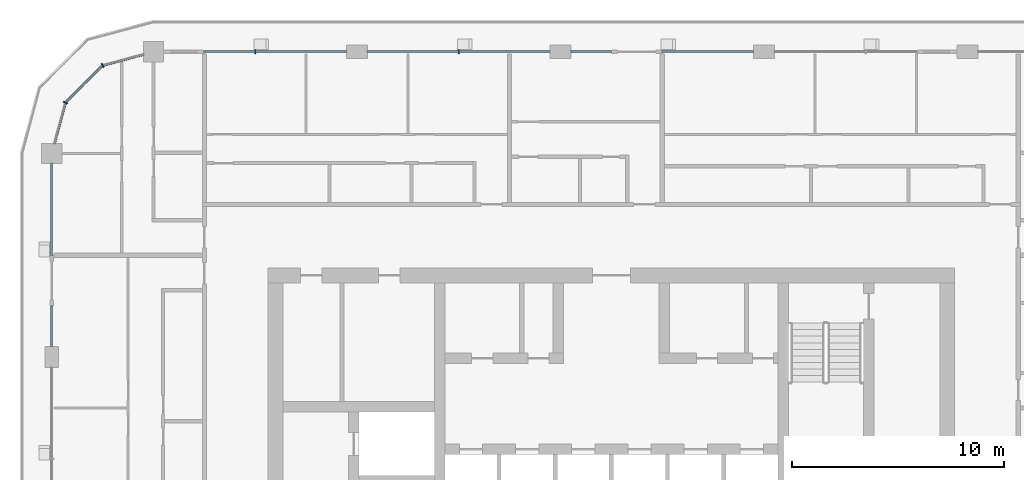
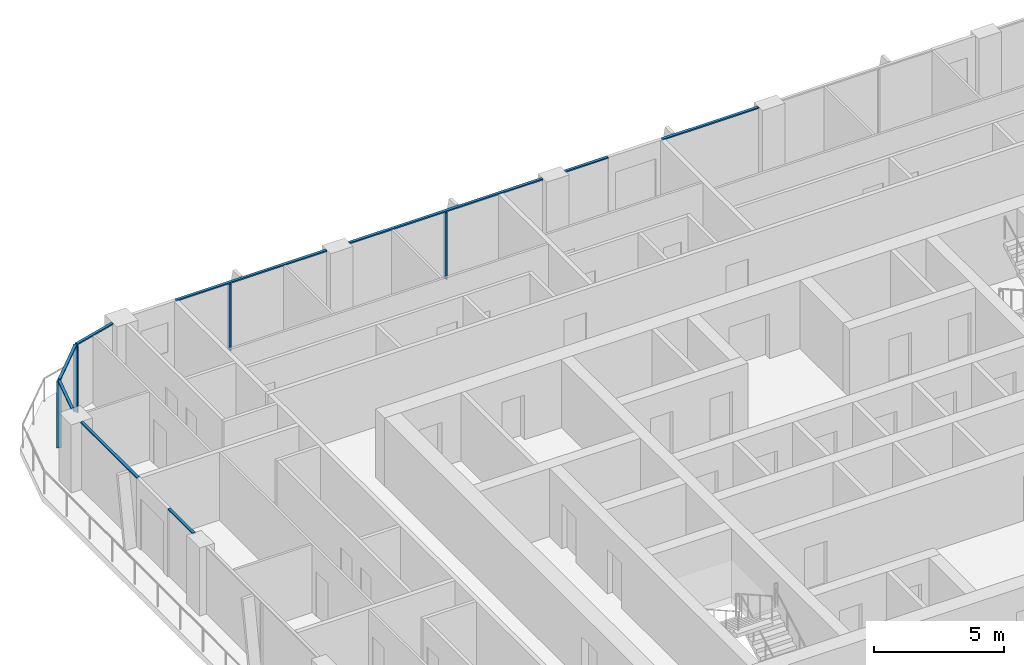
# One storey, part 5 of 22: 13 members, 5 elements without a shape of their own.
"""IFC4 building model written with IfcOpenShell, lengths in metres."""

from ifc_helpers import new_model, si_unit, direction, frame, origin, origin_2d, place, context, subcontext, project, spatial, rectangle, extrude, material, layer, layer_set, material_profile, profile_set, type_object, element, aggregate, save


model = new_model("IFC4")

# Units and contexts
model_context = context("Model", 3, precision=1e-05, world=origin(), true_north=direction((0.0, 1.0)))
body_context = subcontext(model_context, "Body", "Model", "MODEL_VIEW")
ifc_project = project(units=[si_unit("LENGTHUNIT", "METRE"), si_unit("AREAUNIT", "SQUARE_METRE"), si_unit("VOLUMEUNIT", "CUBIC_METRE"), si_unit("PLANEANGLEUNIT", "RADIAN"), si_unit("MASSUNIT", "GRAM", prefix="KILO")], contexts=[model_context])

# Site, building, storey
site_placement = place(None, origin())
site = spatial("IfcSite", under=ifc_project, at=site_placement, CompositionType="ELEMENT")
building_placement = place(site_placement, origin())
building = spatial("IfcBuilding", under=site, at=building_placement, Name="Madar Terraces", CompositionType="ELEMENT")
storey_placement = place(building_placement, frame((0.0, 0.0, 182.39990234375)))
storey = spatial("IfcBuildingStorey", under=building, at=storey_placement, Name="L47", CompositionType="ELEMENT", Elevation=182.39990234375)

# Curtain wall, member
ifc_material_1 = material(Name="Glass, ceramic frit dark grey, with black aluminium frame", Category="aluminium")
ifc_layer = layer(ifc_material_1, 0.199951171875)
ifc_layer_set = layer_set([ifc_layer], Name="Facade curtain wall, fritted glass")
curtain_wall_type = type_object("IfcCurtainWallType", Name="Facade curtain wall, fritted glass", PredefinedType="NOTDEFINED", material=ifc_layer_set)
curtain_wall_1_placement = place(storey_placement, origin())
curtain_wall_1 = element("IfcCurtainWall", 1, at=curtain_wall_1_placement, inside=storey, type_object=curtain_wall_type, Name="Outer skin curtain wall north bay 4", PredefinedType="NOTDEFINED")
ifc_material_2 = material(Name="Aluminium, black anodised", Category="aluminium")
ifc_material_profile_1 = material_profile(ifc_material_2, rectangle(XDim=0.199951171875, YDim=0.06005859375, at=origin_2d()), Name="Facade mullion 60x200")
ifc_profile_set_1 = profile_set([ifc_material_profile_1], Name="Aluminium, black anodised")
member_type_1 = type_object("IfcMemberType", Name="Facade mullion 60x200", PredefinedType="MULLION", material=ifc_profile_set_1)
member_1_placement = place(storey_placement, frame((24.0, 48.0, 0.0), z_axis=(0.0, 0.0, 1.0), x_axis=(0.0, -1.0, 0.0)))
member_1 = element("IfcMember", 2, at=member_1_placement, type_object=member_type_1, Name="Mullion 1", PredefinedType="MULLION", context=body_context, shape_type="SweptSolid", body=[
    extrude(rectangle(XDim=0.199951171875, YDim=0.06005859375, at=origin_2d()), origin(), (0.0, 0.0, 1.0), 3.14013671875),
])

curtain_wall_2_placement = place(storey_placement, origin())
curtain_wall_2 = element("IfcCurtainWall", 3, at=curtain_wall_2_placement, inside=storey, type_object=curtain_wall_type, Name="Outer skin curtain wall north bay 5", PredefinedType="NOTDEFINED")
member_2_placement = place(storey_placement, frame((14.39990234375, 48.0, 0.0), z_axis=(0.0, 0.0, 1.0), x_axis=(0.0, -1.0, 0.0)))
member_2 = element("IfcMember", 4, at=member_2_placement, type_object=member_type_1, Name="Mullion 1", PredefinedType="MULLION", context=body_context, shape_type="SweptSolid", body=[
    extrude(rectangle(XDim=0.199951171875, YDim=0.06005859375, at=origin_2d()), origin(), (0.0, 0.0, 1.0), 3.14013671875),
])

# Curtain wall, members
curtain_wall_3_placement = place(storey_placement, origin())
curtain_wall_3 = element("IfcCurtainWall", 5, at=curtain_wall_3_placement, inside=storey, type_object=curtain_wall_type, Name="Outer skin curtain wall north-west corner", PredefinedType="NOTDEFINED")
member_3_placement = place(storey_placement, frame((7.199951171875, 47.35693359375, 0.0), z_axis=(0.0, 0.0, 1.0), x_axis=(0.499999989586, -0.866025409797, 0.0)))
member_3 = element("IfcMember", 6, at=member_3_placement, type_object=member_type_1, Name="Mullion 1", PredefinedType="MULLION", context=body_context, shape_type="SweptSolid", body=[
    extrude(rectangle(XDim=0.199951171875, YDim=0.06005859375, at=origin_2d()), origin(), (0.0, 0.0, 1.0), 3.14013671875),
])
member_4_placement = place(storey_placement, frame((5.443115234375, 45.60009765625, 0.0), z_axis=(0.0, 0.0, 1.0), x_axis=(0.866025409797, -0.499999989586, 0.0)))
member_4 = element("IfcMember", 7, at=member_4_placement, type_object=member_type_1, Name="Mullion 2", PredefinedType="MULLION", context=body_context, shape_type="SweptSolid", body=[
    extrude(rectangle(XDim=0.199951171875, YDim=0.06005859375, at=origin_2d()), origin(), (0.0, 0.0, 1.0), 3.14013671875),
])

curtain_wall_4_placement = place(storey_placement, origin())
curtain_wall_4 = element("IfcCurtainWall", 8, at=curtain_wall_4_placement, inside=storey, type_object=curtain_wall_type, Name="Outer skin curtain wall north bay 3", PredefinedType="NOTDEFINED")
ifc_material_3 = material(Name="Aluminium, black anodised", Category="aluminium")
ifc_material_profile_2 = material_profile(ifc_material_3, rectangle(XDim=0.1201171875, YDim=0.06005859375, at=origin_2d()), Name="Facade transom 60x120")
ifc_profile_set_2 = profile_set([ifc_material_profile_2], Name="Aluminium, black anodised")
member_type_2 = type_object("IfcMemberType", Name="Facade transom 60x120", PredefinedType="USERDEFINED", material=ifc_profile_set_2)
member_5_placement = place(storey_placement, frame((37.89990234375, 48.0, 3.170166015625), z_axis=(-1.0, 0.0, 0.0), x_axis=(0.0, -1.0, 0.0)))
member_5 = element("IfcMember", 9, at=member_5_placement, type_object=member_type_2, Name="Transom 1", ObjectType="TRANSOM", PredefinedType="USERDEFINED", context=body_context, shape_type="SweptSolid", body=[
    extrude(rectangle(XDim=0.1201171875, YDim=0.06005859375, at=origin_2d()), origin(), (0.0, 0.0, 1.0), 4.2998046875),
])
member_6_placement = place(storey_placement, frame((31.199951171875, 48.0, 3.170166015625), z_axis=(-1.0, 0.0, 0.0), x_axis=(0.0, -1.0, 0.0)))
member_6 = element("IfcMember", 10, at=member_6_placement, type_object=member_type_2, Name="Transom 2", ObjectType="TRANSOM", PredefinedType="USERDEFINED", context=body_context, shape_type="SweptSolid", body=[
    extrude(rectangle(XDim=0.1201171875, YDim=0.06005859375, at=origin_2d()), origin(), (0.0, 0.0, 1.0), 1.89990234375),
])
aggregate(curtain_wall_4, [member_5, member_6])

# Member
member_7_placement = place(storey_placement, frame((28.300048828125, 48.0, 3.170166015625), z_axis=(-1.0, 0.0, 0.0), x_axis=(0.0, -1.0, 0.0)))
member_7 = element("IfcMember", 11, at=member_7_placement, type_object=member_type_2, Name="Transom 1", ObjectType="TRANSOM", PredefinedType="USERDEFINED", context=body_context, shape_type="SweptSolid", body=[
    extrude(rectangle(XDim=0.1201171875, YDim=0.06005859375, at=origin_2d()), origin(), (0.0, 0.0, 1.0), 8.60009765625),
])

aggregate(curtain_wall_1, [member_1, member_7])

member_8_placement = place(storey_placement, frame((18.699951171875, 48.0, 3.170166015625), z_axis=(-1.0, 0.0, 0.0), x_axis=(0.0, -1.0, 0.0)))
member_8 = element("IfcMember", 12, at=member_8_placement, type_object=member_type_2, Name="Transom 1", ObjectType="TRANSOM", PredefinedType="USERDEFINED", context=body_context, shape_type="SweptSolid", body=[
    extrude(rectangle(XDim=0.1201171875, YDim=0.06005859375, at=origin_2d()), origin(), (0.0, 0.0, 1.0), 6.699951171875),
])

aggregate(curtain_wall_2, [member_2, member_8])

# Curtain wall, members
curtain_wall_5_placement = place(storey_placement, origin())
curtain_wall_5 = element("IfcCurtainWall", 13, at=curtain_wall_5_placement, inside=storey, type_object=curtain_wall_type, Name="Outer skin curtain wall west bay 1", PredefinedType="NOTDEFINED")
member_9_placement = place(storey_placement, frame((4.800048828125, 42.72509765625, 3.170166015625), z_axis=(0.0, -1.0, 0.0), x_axis=(1.0, 0.0, 0.0)))
member_9 = element("IfcMember", 14, at=member_9_placement, type_object=member_type_2, Name="Transom 1", ObjectType="TRANSOM", PredefinedType="USERDEFINED", context=body_context, shape_type="SweptSolid", body=[
    extrude(rectangle(XDim=0.1201171875, YDim=0.06005859375, at=origin_2d()), origin(), (0.0, 0.0, 1.0), 4.3251953125),
])
member_10_placement = place(storey_placement, frame((4.800048828125, 36.0, 3.170166015625), z_axis=(0.0, -1.0, 0.0), x_axis=(1.0, 0.0, 0.0)))
member_10 = element("IfcMember", 15, at=member_10_placement, type_object=member_type_2, Name="Transom 2", ObjectType="TRANSOM", PredefinedType="USERDEFINED", context=body_context, shape_type="SweptSolid", body=[
    extrude(rectangle(XDim=0.1201171875, YDim=0.06005859375, at=origin_2d()), origin(), (0.0, 0.0, 1.0), 1.89990234375),
])
aggregate(curtain_wall_5, [member_9, member_10])

# Member
member_11_placement = place(storey_placement, frame((9.125, 47.872802734375, 3.170166015625), z_axis=(-0.96592251241, -0.258831412352, 0.0), x_axis=(0.258831412352, -0.96592251241, 0.0)))
member_11 = element("IfcMember", 16, at=member_11_placement, type_object=member_type_2, Name="Transom 1", ObjectType="TRANSOM", PredefinedType="USERDEFINED", context=body_context, shape_type="SweptSolid", body=[
    extrude(rectangle(XDim=0.1201171875, YDim=0.06005859375, at=origin_2d()), origin(), (0.0, 0.0, 1.0), 1.962890625),
])

member_12_placement = place(storey_placement, frame((7.1787109375, 47.335693359375, 3.170166015625), z_axis=(-0.707056433593, -0.707157125196, 0.0), x_axis=(0.707157125196, -0.707056433593, 0.0)))
member_12 = element("IfcMember", 17, at=member_12_placement, type_object=member_type_2, Name="Transom 2", ObjectType="TRANSOM", PredefinedType="USERDEFINED", context=body_context, shape_type="SweptSolid", body=[
    extrude(rectangle(XDim=0.1201171875, YDim=0.06005859375, at=origin_2d()), origin(), (0.0, 0.0, 1.0), 2.424560546875),
])

member_13_placement = place(storey_placement, frame((5.435302734375, 45.571044921875, 3.170166015625), z_axis=(-0.258831412352, -0.96592251241, 0.0), x_axis=(0.96592251241, -0.258831412352, 0.0)))
member_13 = element("IfcMember", 18, at=member_13_placement, type_object=member_type_2, Name="Transom 3", ObjectType="TRANSOM", PredefinedType="USERDEFINED", context=body_context, shape_type="SweptSolid", body=[
    extrude(rectangle(XDim=0.1201171875, YDim=0.06005859375, at=origin_2d()), origin(), (0.0, 0.0, 1.0), 1.962890625),
])

aggregate(curtain_wall_3, [member_3, member_11, member_4, member_12, member_13])

save(model, "model.ifc")
